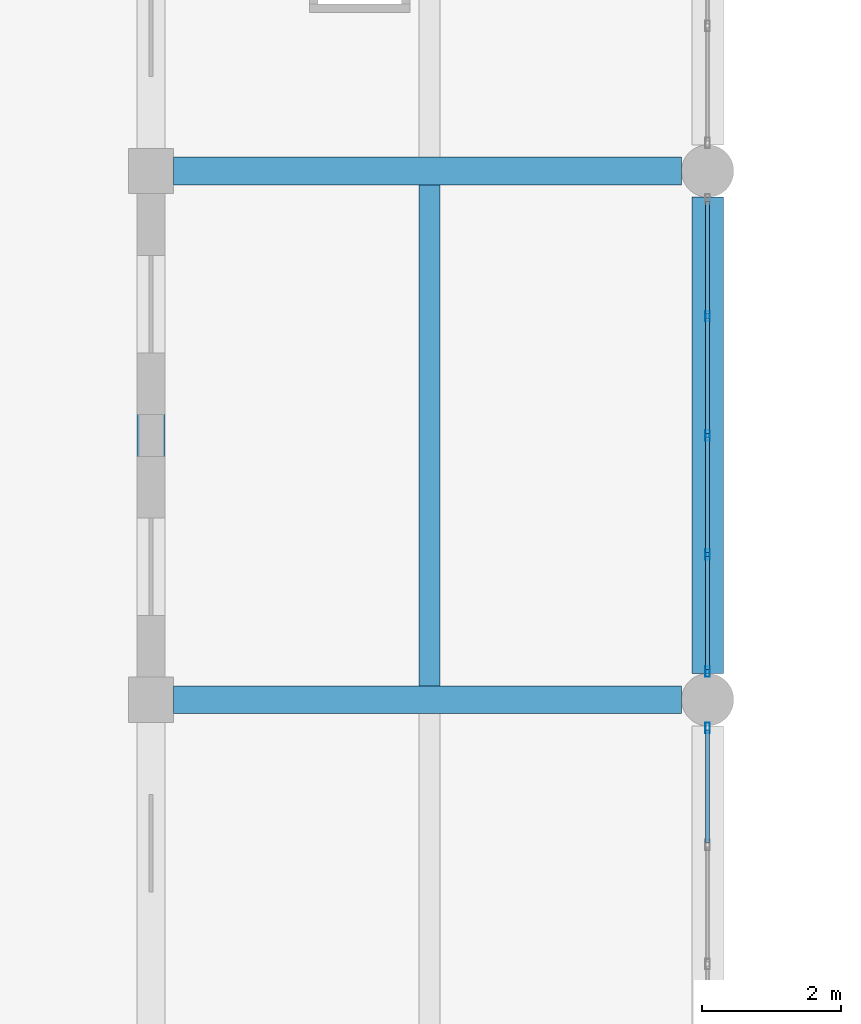
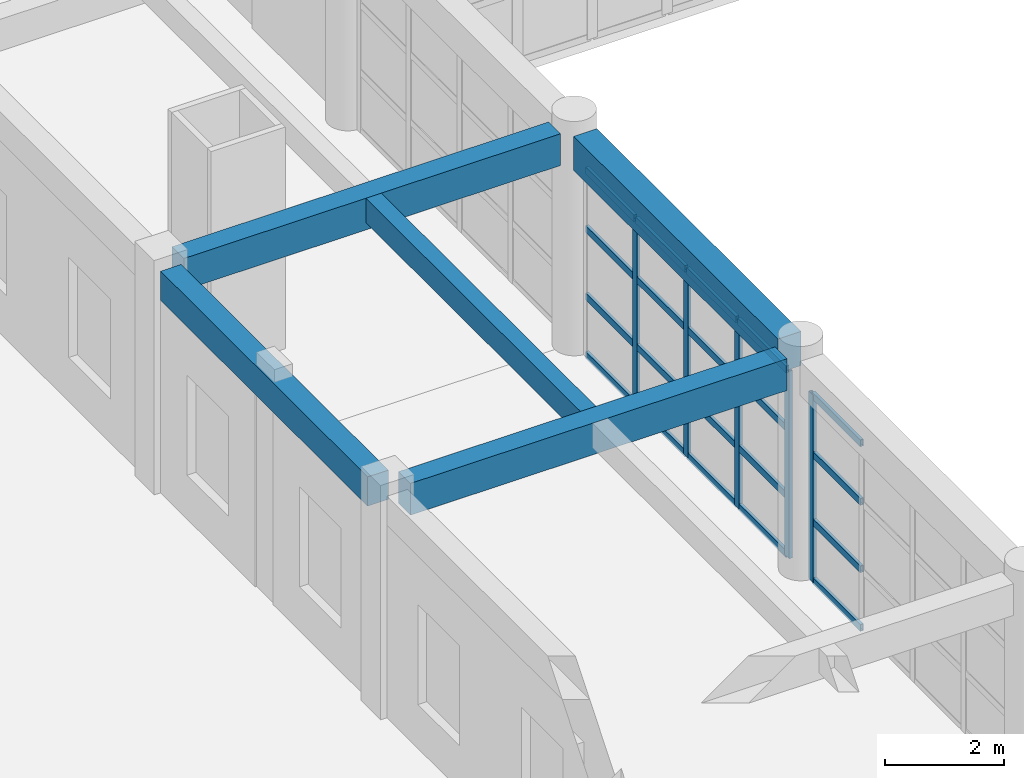
# One storey, part 12 of 101: 25 members, 5 beams, 2 elements without a shape of their own.
"""IFC4 building model written with IfcOpenShell, lengths in metres."""

from ifc_helpers import new_model, si_unit, direction, frame, origin, origin_2d, place, context, subcontext, project, spatial, rectangle, hollow_rectangle, extrude, material, material_profile, profile_set, type_object, element, aggregate, save


model = new_model("IFC4")

# Units and contexts
model_context = context("Model", 3, precision=1e-05, world=origin(), true_north=direction((0.0, 1.0)))
body_context = subcontext(model_context, "Body", "Model", "MODEL_VIEW")
ifc_project = project(units=[si_unit("LENGTHUNIT", "METRE"), si_unit("AREAUNIT", "SQUARE_METRE"), si_unit("VOLUMEUNIT", "CUBIC_METRE"), si_unit("PLANEANGLEUNIT", "RADIAN"), si_unit("MASSUNIT", "GRAM", prefix="KILO")], contexts=[model_context])

# Site, building, storey
site_placement = place(None, origin())
site = spatial("IfcSite", under=ifc_project, at=site_placement, CompositionType="ELEMENT")
building_placement = place(site_placement, origin())
building = spatial("IfcBuilding", under=site, at=building_placement, Name="Zantavel Square City Hall", CompositionType="ELEMENT")
storey_placement = place(building_placement, frame((0.0, 0.0, 5.39990234375)))
storey = spatial("IfcBuildingStorey", under=building, at=storey_placement, Name="L02", CompositionType="ELEMENT", Elevation=5.39990234375)

# Curtain wall, members
ifc_material_1 = material(Name="Anodised aluminium 6063-T6", Category="aluminium")
curtain_wall_type = type_object("IfcCurtainWallType", Name="Curtain Wall CRT 6850x3840", PredefinedType="USERDEFINED", material=ifc_material_1)
curtain_wall_1_placement = place(storey_placement, origin())
curtain_wall_1 = element("IfcCurtainWall", 1, at=curtain_wall_1_placement, inside=storey, type_object=curtain_wall_type, Name="L02 Glazed Curtain Wall CW-L02-070", ObjectType="GLAZED CURTAIN WALL", PredefinedType="USERDEFINED")
ifc_material_profile_1 = material_profile(ifc_material_1, hollow_rectangle(XDim=0.06494140625, YDim=0.14990234375, WallThickness=0.00390625, at=origin_2d()), Name="ALU 65x150x4")
ifc_profile_set_1 = profile_set([ifc_material_profile_1], Name="Anodised aluminium 6063-T6")
member_type_1 = type_object("IfcMemberType", Name="CW Mullion ALU 65x150x4", PredefinedType="MULLION", material=ifc_profile_set_1)
member_1_placement = place(storey_placement, frame((16.0, 58.71240234375, 0.0), z_axis=(0.0, 0.0, 1.0), x_axis=(1.0, 0.0, 0.0)))
member_1 = element("IfcMember", 2, at=member_1_placement, type_object=member_type_1, Name="CW-070 mullion 2", PredefinedType="MULLION", context=body_context, shape_type="SweptSolid", body=[
    extrude(hollow_rectangle(XDim=0.06494140625, YDim=0.14990234375, WallThickness=0.00390625, at=origin_2d()), origin(), (0.0, 0.0, 1.0), 3.840087890625),
])
member_2_placement = place(storey_placement, frame((16.0, 57.0, 0.0), z_axis=(0.0, 0.0, 1.0), x_axis=(1.0, 0.0, 0.0)))
member_2 = element("IfcMember", 3, at=member_2_placement, type_object=member_type_1, Name="CW-070 mullion 3", PredefinedType="MULLION", context=body_context, shape_type="SweptSolid", body=[
    extrude(hollow_rectangle(XDim=0.06494140625, YDim=0.14990234375, WallThickness=0.00390625, at=origin_2d()), origin(), (0.0, 0.0, 1.0), 3.840087890625),
])
member_3_placement = place(storey_placement, frame((16.0, 55.28759765625, 0.0), z_axis=(0.0, 0.0, 1.0), x_axis=(1.0, 0.0, 0.0)))
member_3 = element("IfcMember", 4, at=member_3_placement, type_object=member_type_1, Name="CW-070 mullion 4", PredefinedType="MULLION", context=body_context, shape_type="SweptSolid", body=[
    extrude(hollow_rectangle(XDim=0.06494140625, YDim=0.14990234375, WallThickness=0.00390625, at=origin_2d()), origin(), (0.0, 0.0, 1.0), 3.840087890625),
])
member_4_placement = place(storey_placement, frame((16.0, 53.60498046875, 0.0), z_axis=(0.0, 0.0, 1.0), x_axis=(1.0, 0.0, 0.0)))
member_4 = element("IfcMember", 5, at=member_4_placement, type_object=member_type_1, Name="CW-070 mullion 5", PredefinedType="MULLION", context=body_context, shape_type="SweptSolid", body=[
    extrude(hollow_rectangle(XDim=0.06494140625, YDim=0.14990234375, WallThickness=0.00390625, at=origin_2d()), origin(), (0.0, 0.0, 1.0), 3.840087890625),
])

# Curtain wall, member
curtain_wall_2_placement = place(storey_placement, origin())
curtain_wall_2 = element("IfcCurtainWall", 6, at=curtain_wall_2_placement, inside=storey, type_object=curtain_wall_type, Name="L02 Glazed Curtain Wall CW-L02-071", ObjectType="GLAZED CURTAIN WALL", PredefinedType="USERDEFINED")
member_5_placement = place(storey_placement, frame((16.0, 52.794921875, 0.0), z_axis=(0.0, 0.0, 1.0), x_axis=(1.0, 0.0, 0.0)))
member_5 = element("IfcMember", 7, at=member_5_placement, type_object=member_type_1, Name="CW-071 mullion 1", PredefinedType="MULLION", context=body_context, shape_type="SweptSolid", body=[
    extrude(hollow_rectangle(XDim=0.06494140625, YDim=0.14990234375, WallThickness=0.00390625, at=origin_2d()), origin(), (0.0, 0.0, 1.0), 3.840087890625),
])

# Member
ifc_material_profile_2 = material_profile(ifc_material_1, hollow_rectangle(XDim=0.06005859375, YDim=0.139892578125, WallThickness=0.00390625, at=origin_2d()), Name="ALU 60x140x4")
ifc_profile_set_2 = profile_set([ifc_material_profile_2], Name="Anodised aluminium 6063-T6")
member_type_2 = type_object("IfcMemberType", Name="CW Transom ALU 60x140x4", PredefinedType="USERDEFINED", material=ifc_profile_set_2)
member_6_placement = place(storey_placement, frame((16.0, 60.364990234375, 0.030029296875), z_axis=(0.0, -1.0, 0.0), x_axis=(1.0, 0.0, 0.0)))
member_6 = element("IfcMember", 8, at=member_6_placement, type_object=member_type_2, Name="CW-070 transom 1.1", ObjectType="TRANSOM", PredefinedType="USERDEFINED", context=body_context, shape_type="SweptSolid", body=[
    extrude(hollow_rectangle(XDim=0.06005859375, YDim=0.139892578125, WallThickness=0.00390625, at=origin_2d()), origin(), (0.0, 0.0, 1.0), 1.62255859375),
])

member_7_placement = place(storey_placement, frame((16.0, 60.364990234375, 1.22900390625), z_axis=(0.0, -1.0, 0.0), x_axis=(1.0, 0.0, 0.0)))
member_7 = element("IfcMember", 9, at=member_7_placement, type_object=member_type_2, Name="CW-070 transom 1.2", ObjectType="TRANSOM", PredefinedType="USERDEFINED", context=body_context, shape_type="SweptSolid", body=[
    extrude(hollow_rectangle(XDim=0.06005859375, YDim=0.139892578125, WallThickness=0.00390625, at=origin_2d()), origin(), (0.0, 0.0, 1.0), 1.62255859375),
])

member_8_placement = place(storey_placement, frame((16.0, 60.364990234375, 2.611083984375), z_axis=(0.0, -1.0, 0.0), x_axis=(1.0, 0.0, 0.0)))
member_8 = element("IfcMember", 10, at=member_8_placement, type_object=member_type_2, Name="CW-070 transom 1.3", ObjectType="TRANSOM", PredefinedType="USERDEFINED", context=body_context, shape_type="SweptSolid", body=[
    extrude(hollow_rectangle(XDim=0.06005859375, YDim=0.139892578125, WallThickness=0.00390625, at=origin_2d()), origin(), (0.0, 0.0, 1.0), 1.62255859375),
])

member_9_placement = place(storey_placement, frame((16.0, 60.364990234375, 3.81005859375), z_axis=(0.0, -1.0, 0.0), x_axis=(1.0, 0.0, 0.0)))
member_9 = element("IfcMember", 11, at=member_9_placement, type_object=member_type_2, Name="CW-070 transom 1.4", ObjectType="TRANSOM", PredefinedType="USERDEFINED", context=body_context, shape_type="SweptSolid", body=[
    extrude(hollow_rectangle(XDim=0.06005859375, YDim=0.139892578125, WallThickness=0.00390625, at=origin_2d()), origin(), (0.0, 0.0, 1.0), 1.62255859375),
])

member_10_placement = place(storey_placement, frame((16.0, 58.6826171875, 0.030029296875), z_axis=(0.0, -1.0, 0.0), x_axis=(1.0, 0.0, 0.0)))
member_10 = element("IfcMember", 12, at=member_10_placement, type_object=member_type_2, Name="CW-070 transom 2.1", ObjectType="TRANSOM", PredefinedType="USERDEFINED", context=body_context, shape_type="SweptSolid", body=[
    extrude(hollow_rectangle(XDim=0.06005859375, YDim=0.139892578125, WallThickness=0.00390625, at=origin_2d()), origin(), (0.0, 0.0, 1.0), 1.652587890625),
])

member_11_placement = place(storey_placement, frame((16.0, 58.6826171875, 1.22900390625), z_axis=(0.0, -1.0, 0.0), x_axis=(1.0, 0.0, 0.0)))
member_11 = element("IfcMember", 13, at=member_11_placement, type_object=member_type_2, Name="CW-070 transom 2.2", ObjectType="TRANSOM", PredefinedType="USERDEFINED", context=body_context, shape_type="SweptSolid", body=[
    extrude(hollow_rectangle(XDim=0.06005859375, YDim=0.139892578125, WallThickness=0.00390625, at=origin_2d()), origin(), (0.0, 0.0, 1.0), 1.652587890625),
])

member_12_placement = place(storey_placement, frame((16.0, 58.6826171875, 2.611083984375), z_axis=(0.0, -1.0, 0.0), x_axis=(1.0, 0.0, 0.0)))
member_12 = element("IfcMember", 14, at=member_12_placement, type_object=member_type_2, Name="CW-070 transom 2.3", ObjectType="TRANSOM", PredefinedType="USERDEFINED", context=body_context, shape_type="SweptSolid", body=[
    extrude(hollow_rectangle(XDim=0.06005859375, YDim=0.139892578125, WallThickness=0.00390625, at=origin_2d()), origin(), (0.0, 0.0, 1.0), 1.652587890625),
])

member_13_placement = place(storey_placement, frame((16.0, 58.6826171875, 3.81005859375), z_axis=(0.0, -1.0, 0.0), x_axis=(1.0, 0.0, 0.0)))
member_13 = element("IfcMember", 15, at=member_13_placement, type_object=member_type_2, Name="CW-070 transom 2.4", ObjectType="TRANSOM", PredefinedType="USERDEFINED", context=body_context, shape_type="SweptSolid", body=[
    extrude(hollow_rectangle(XDim=0.06005859375, YDim=0.139892578125, WallThickness=0.00390625, at=origin_2d()), origin(), (0.0, 0.0, 1.0), 1.652587890625),
])

member_14_placement = place(storey_placement, frame((16.0, 56.969970703125, 0.030029296875), z_axis=(0.0, -1.0, 0.0), x_axis=(1.0, 0.0, 0.0)))
member_14 = element("IfcMember", 16, at=member_14_placement, type_object=member_type_2, Name="CW-070 transom 3.1", ObjectType="TRANSOM", PredefinedType="USERDEFINED", context=body_context, shape_type="SweptSolid", body=[
    extrude(hollow_rectangle(XDim=0.06005859375, YDim=0.139892578125, WallThickness=0.00390625, at=origin_2d()), origin(), (0.0, 0.0, 1.0), 1.652587890625),
])

member_15_placement = place(storey_placement, frame((16.0, 56.969970703125, 1.22900390625), z_axis=(0.0, -1.0, 0.0), x_axis=(1.0, 0.0, 0.0)))
member_15 = element("IfcMember", 17, at=member_15_placement, type_object=member_type_2, Name="CW-070 transom 3.2", ObjectType="TRANSOM", PredefinedType="USERDEFINED", context=body_context, shape_type="SweptSolid", body=[
    extrude(hollow_rectangle(XDim=0.06005859375, YDim=0.139892578125, WallThickness=0.00390625, at=origin_2d()), origin(), (0.0, 0.0, 1.0), 1.652587890625),
])

member_16_placement = place(storey_placement, frame((16.0, 56.969970703125, 2.611083984375), z_axis=(0.0, -1.0, 0.0), x_axis=(1.0, 0.0, 0.0)))
member_16 = element("IfcMember", 18, at=member_16_placement, type_object=member_type_2, Name="CW-070 transom 3.3", ObjectType="TRANSOM", PredefinedType="USERDEFINED", context=body_context, shape_type="SweptSolid", body=[
    extrude(hollow_rectangle(XDim=0.06005859375, YDim=0.139892578125, WallThickness=0.00390625, at=origin_2d()), origin(), (0.0, 0.0, 1.0), 1.652587890625),
])

member_17_placement = place(storey_placement, frame((16.0, 56.969970703125, 3.81005859375), z_axis=(0.0, -1.0, 0.0), x_axis=(1.0, 0.0, 0.0)))
member_17 = element("IfcMember", 19, at=member_17_placement, type_object=member_type_2, Name="CW-070 transom 3.4", ObjectType="TRANSOM", PredefinedType="USERDEFINED", context=body_context, shape_type="SweptSolid", body=[
    extrude(hollow_rectangle(XDim=0.06005859375, YDim=0.139892578125, WallThickness=0.00390625, at=origin_2d()), origin(), (0.0, 0.0, 1.0), 1.652587890625),
])

member_18_placement = place(storey_placement, frame((16.0, 55.257568359375, 0.030029296875), z_axis=(0.0, -1.0, 0.0), x_axis=(1.0, 0.0, 0.0)))
member_18 = element("IfcMember", 20, at=member_18_placement, type_object=member_type_2, Name="CW-070 transom 4.1", ObjectType="TRANSOM", PredefinedType="USERDEFINED", context=body_context, shape_type="SweptSolid", body=[
    extrude(hollow_rectangle(XDim=0.06005859375, YDim=0.139892578125, WallThickness=0.00390625, at=origin_2d()), origin(), (0.0, 0.0, 1.0), 1.62255859375),
])

member_19_placement = place(storey_placement, frame((16.0, 55.257568359375, 1.22900390625), z_axis=(0.0, -1.0, 0.0), x_axis=(1.0, 0.0, 0.0)))
member_19 = element("IfcMember", 21, at=member_19_placement, type_object=member_type_2, Name="CW-070 transom 4.2", ObjectType="TRANSOM", PredefinedType="USERDEFINED", context=body_context, shape_type="SweptSolid", body=[
    extrude(hollow_rectangle(XDim=0.06005859375, YDim=0.139892578125, WallThickness=0.00390625, at=origin_2d()), origin(), (0.0, 0.0, 1.0), 1.62255859375),
])

member_20_placement = place(storey_placement, frame((16.0, 55.257568359375, 2.611083984375), z_axis=(0.0, -1.0, 0.0), x_axis=(1.0, 0.0, 0.0)))
member_20 = element("IfcMember", 22, at=member_20_placement, type_object=member_type_2, Name="CW-070 transom 4.3", ObjectType="TRANSOM", PredefinedType="USERDEFINED", context=body_context, shape_type="SweptSolid", body=[
    extrude(hollow_rectangle(XDim=0.06005859375, YDim=0.139892578125, WallThickness=0.00390625, at=origin_2d()), origin(), (0.0, 0.0, 1.0), 1.62255859375),
])

member_21_placement = place(storey_placement, frame((16.0, 55.257568359375, 3.81005859375), z_axis=(0.0, -1.0, 0.0), x_axis=(1.0, 0.0, 0.0)))
member_21 = element("IfcMember", 23, at=member_21_placement, type_object=member_type_2, Name="CW-070 transom 4.4", ObjectType="TRANSOM", PredefinedType="USERDEFINED", context=body_context, shape_type="SweptSolid", body=[
    extrude(hollow_rectangle(XDim=0.06005859375, YDim=0.139892578125, WallThickness=0.00390625, at=origin_2d()), origin(), (0.0, 0.0, 1.0), 1.62255859375),
])

aggregate(curtain_wall_1, [member_1, member_2, member_3, member_4, member_6, member_7, member_8, member_9, member_10, member_11, member_12, member_13, member_14, member_15, member_16, member_17, member_18, member_19, member_20, member_21])

member_22_placement = place(storey_placement, frame((16.0, 52.764892578125, 0.030029296875), z_axis=(0.0, -1.0, 0.0), x_axis=(1.0, 0.0, 0.0)))
member_22 = element("IfcMember", 24, at=member_22_placement, type_object=member_type_2, Name="CW-071 transom 1.1", ObjectType="TRANSOM", PredefinedType="USERDEFINED", context=body_context, shape_type="SweptSolid", body=[
    extrude(hollow_rectangle(XDim=0.06005859375, YDim=0.139892578125, WallThickness=0.00390625, at=origin_2d()), origin(), (0.0, 0.0, 1.0), 1.622314453125),
])

member_23_placement = place(storey_placement, frame((16.0, 52.764892578125, 1.22900390625), z_axis=(0.0, -1.0, 0.0), x_axis=(1.0, 0.0, 0.0)))
member_23 = element("IfcMember", 25, at=member_23_placement, type_object=member_type_2, Name="CW-071 transom 1.2", ObjectType="TRANSOM", PredefinedType="USERDEFINED", context=body_context, shape_type="SweptSolid", body=[
    extrude(hollow_rectangle(XDim=0.06005859375, YDim=0.139892578125, WallThickness=0.00390625, at=origin_2d()), origin(), (0.0, 0.0, 1.0), 1.622314453125),
])

member_24_placement = place(storey_placement, frame((16.0, 52.764892578125, 2.611083984375), z_axis=(0.0, -1.0, 0.0), x_axis=(1.0, 0.0, 0.0)))
member_24 = element("IfcMember", 26, at=member_24_placement, type_object=member_type_2, Name="CW-071 transom 1.3", ObjectType="TRANSOM", PredefinedType="USERDEFINED", context=body_context, shape_type="SweptSolid", body=[
    extrude(hollow_rectangle(XDim=0.06005859375, YDim=0.139892578125, WallThickness=0.00390625, at=origin_2d()), origin(), (0.0, 0.0, 1.0), 1.622314453125),
])

member_25_placement = place(storey_placement, frame((16.0, 52.764892578125, 3.81005859375), z_axis=(0.0, -1.0, 0.0), x_axis=(1.0, 0.0, 0.0)))
member_25 = element("IfcMember", 27, at=member_25_placement, type_object=member_type_2, Name="CW-071 transom 1.4", ObjectType="TRANSOM", PredefinedType="USERDEFINED", context=body_context, shape_type="SweptSolid", body=[
    extrude(hollow_rectangle(XDim=0.06005859375, YDim=0.139892578125, WallThickness=0.00390625, at=origin_2d()), origin(), (0.0, 0.0, 1.0), 1.622314453125),
])

aggregate(curtain_wall_2, [member_5, member_22, member_23, member_24, member_25])

# Beams
ifc_material_2 = material(Name="Concrete C35/45", Category="concrete")
ifc_material_profile_3 = material_profile(ifc_material_2, rectangle(XDim=0.300048828125, YDim=0.5, at=origin_2d()), Name="RC 300x500")
ifc_profile_set_3 = profile_set([ifc_material_profile_3], Name="Concrete C35/45")
beam_type_1 = type_object("IfcBeamType", Name="Floor Joist RC 300x500 C35/45", PredefinedType="JOIST", material=ifc_profile_set_3)
beam_1_placement = place(storey_placement, frame((12.0, 53.39990234375, 4.2900390625), z_axis=(0.0, 1.0, 0.0), x_axis=(-1.0, 0.0, 0.0)))
element("IfcBeam", 28, at=beam_1_placement, inside=storey, type_object=beam_type_1, Name="L02 Floor Joist JST-L02-0120-0532", PredefinedType="JOIST", context=body_context, shape_type="SweptSolid", body=[
    extrude(rectangle(XDim=0.300048828125, YDim=0.5, at=origin_2d()), origin(), (0.0, 0.0, 1.0), 7.2001953125),
])
ifc_material_profile_4 = material_profile(ifc_material_2, rectangle(XDim=0.39990234375, YDim=0.64990234375, at=origin_2d()), Name="RC 400x650")
ifc_profile_set_4 = profile_set([ifc_material_profile_4], Name="Concrete C35/45")
beam_type_2 = type_object("IfcBeamType", Name="Frame Beam RC 400x650 C35/45", PredefinedType="BEAM", material=ifc_profile_set_4)
for number, where, z_axis, x_axis, name in (
    (29, (8.324951171875, 53.199951171875, 4.215087890625), (1.0, 0.0, 0.0), (0.0, 1.0, 0.0), "L02 Girder BMX-L02-0080-0532"),
    (30, (8.324951171875, 60.800048828125, 4.215087890625), (1.0, 0.0, 0.0), (0.0, 1.0, 0.0), "L02 Girder BMX-L02-0080-0608"),
):
    element("IfcBeam", number, at=place(storey_placement, frame(where, z_axis=z_axis, x_axis=x_axis)), inside=storey, type_object=beam_type_2, Name=name, PredefinedType="BEAM", context=body_context, shape_type="SweptSolid", body=[
        extrude(rectangle(XDim=0.39990234375, YDim=0.64990234375, at=origin_2d()), origin(), (0.0, 0.0, 1.0), 7.300048828125),
    ])
ifc_material_profile_5 = material_profile(ifc_material_2, rectangle(XDim=0.39990234375, YDim=0.60009765625, at=origin_2d()), Name="RC 400x600")
ifc_profile_set_5 = profile_set([ifc_material_profile_5], Name="Concrete C35/45")
beam_type_3 = type_object("IfcBeamType", Name="Perimeter Spandrel RC 400x600 C35/45", PredefinedType="SPANDREL", material=ifc_profile_set_5)
beam_2_placement = place(storey_placement, frame((8.0, 53.52490234375, 4.239990234375), z_axis=(0.0, 1.0, 0.0), x_axis=(-1.0, 0.0, 0.0)))
element("IfcBeam", 31, at=beam_2_placement, inside=storey, type_object=beam_type_3, Name="L02 Beam BMY-L02-0080-0532", PredefinedType="SPANDREL", context=body_context, shape_type="SweptSolid", body=[
    extrude(rectangle(XDim=0.39990234375, YDim=0.60009765625, at=origin_2d()), origin(), (0.0, 0.0, 1.0), 6.9501953125),
])
ifc_material_profile_6 = material_profile(ifc_material_2, rectangle(XDim=0.449951171875, YDim=0.699951171875, at=origin_2d()), Name="RC 450x700")
ifc_profile_set_6 = profile_set([ifc_material_profile_6], Name="Concrete C35/45")
beam_type_4 = type_object("IfcBeamType", Name="Primary Girder RC 450x700 C35/45", PredefinedType="BEAM", material=ifc_profile_set_6)
beam_3_placement = place(storey_placement, frame((16.0, 53.574951171875, 4.190185546875), z_axis=(0.0, 1.0, 0.0), x_axis=(-1.0, 0.0, 0.0)))
element("IfcBeam", 32, at=beam_3_placement, inside=storey, type_object=beam_type_4, Name="L02 Beam BMY-L02-0160-0532", PredefinedType="BEAM", context=body_context, shape_type="SweptSolid", body=[
    extrude(rectangle(XDim=0.449951171875, YDim=0.699951171875, at=origin_2d()), origin(), (0.0, 0.0, 1.0), 6.85009765625),
])

save(model, "model.ifc")
